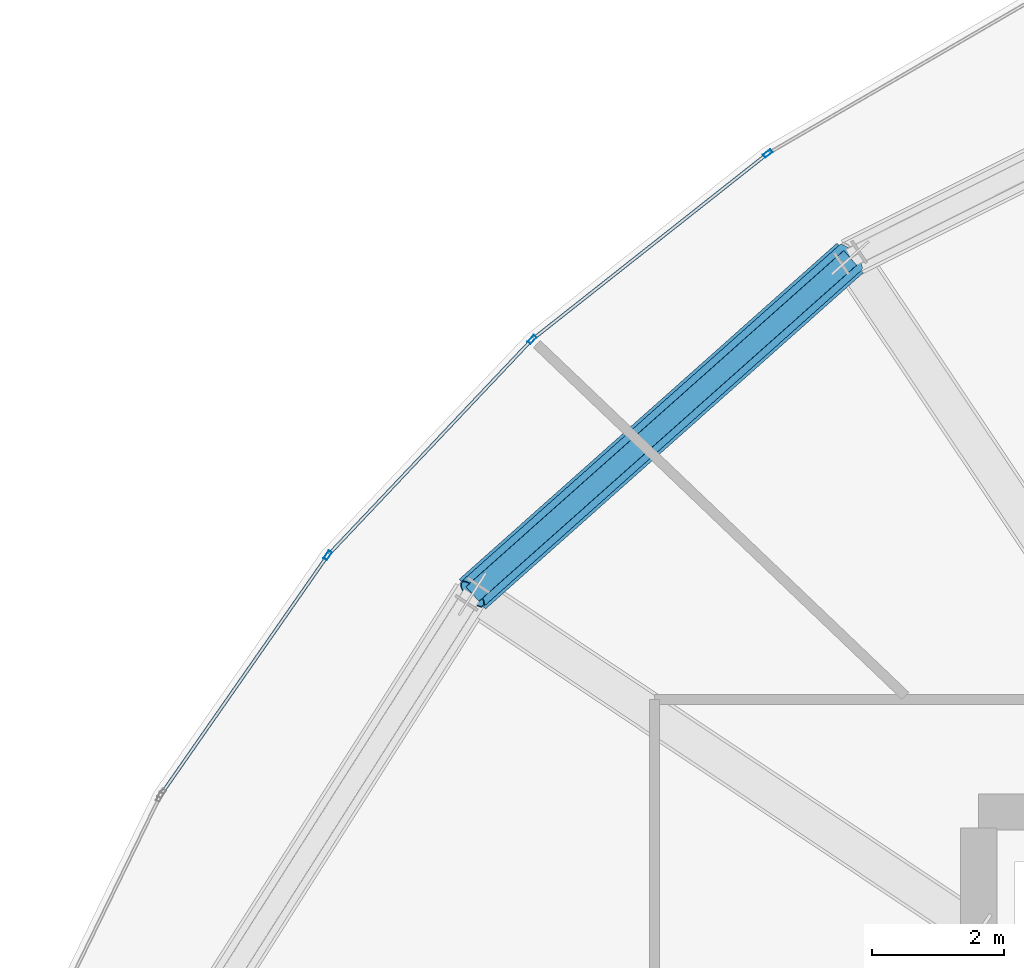
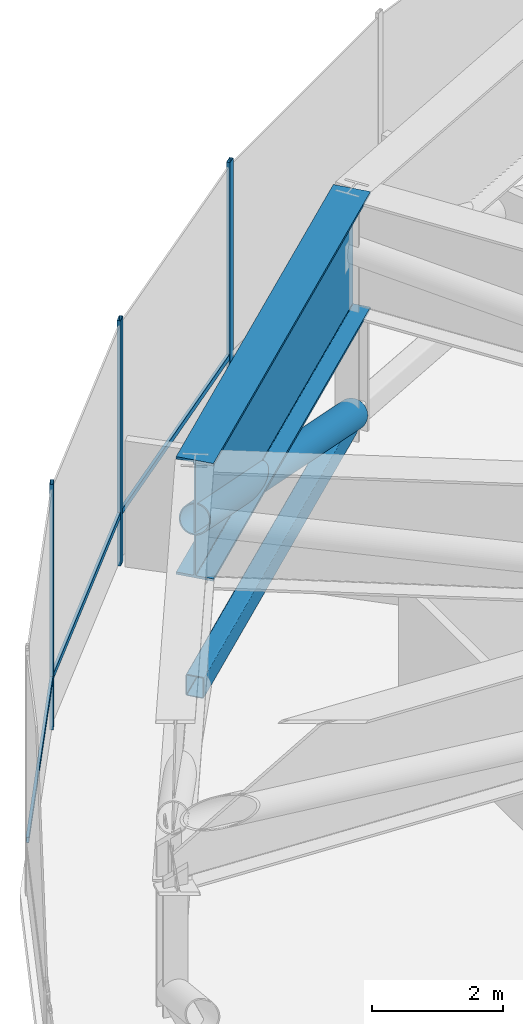
# One storey, part 18 of 30: 8 members, 1 beam, 1 element without a shape of its own.
"""IFC4 building model written with IfcOpenShell, lengths in metres."""

from ifc_helpers import new_model, si_unit, direction, frame, origin, origin_2d, place, context, subcontext, project, spatial, hollow_rectangle, hollow_circle, i_section, extrude, source, transform, mapped, material, layer, layer_set, material_profile, profile_set, type_object, element, aggregate, save


model = new_model("IFC4")

# Units and contexts
model_context = context("Model", 3, precision=1e-05, world=origin(), true_north=direction((0.0, 1.0)))
body_context = subcontext(model_context, "Body", "Model", "MODEL_VIEW")
ifc_project = project(units=[si_unit("LENGTHUNIT", "METRE"), si_unit("AREAUNIT", "SQUARE_METRE"), si_unit("VOLUMEUNIT", "CUBIC_METRE"), si_unit("PLANEANGLEUNIT", "RADIAN"), si_unit("MASSUNIT", "GRAM", prefix="KILO"), si_unit("THERMODYNAMICTEMPERATUREUNIT", "KELVIN")], contexts=[model_context])

# Site, building, storey
site_placement = place(None, origin())
site = spatial("IfcSite", under=ifc_project, at=site_placement, CompositionType="ELEMENT")
building_placement = place(site_placement, origin())
building = spatial("IfcBuilding", under=site, at=building_placement, Name="Kethvar Cultural Tower", CompositionType="ELEMENT")
storey_placement = place(building_placement, frame((0.0, 0.0, 171.39990234375)))
storey = spatial("IfcBuildingStorey", under=building, at=storey_placement, Name="L44", CompositionType="ELEMENT", Elevation=171.39990234375)

# Beam
ifc_material_1 = material(Name="Steel S460M", Category="steel")
ifc_material_profile_1 = material_profile(ifc_material_1, i_section(OverallWidth=0.60009765625, OverallDepth=2.199951171875, WebThickness=0.028076171875, FlangeThickness=0.044921875, FilletRadius=0.02197265625, at=origin_2d()), Name="Steel S460M — PG2200x600x45x28")
ifc_profile_set_1 = profile_set([ifc_material_profile_1], Name="Steel S460M — PG2200x600x45x28")
beam_type = type_object("IfcBeamType", Name="BM-TR2200", PredefinedType="BEAM", material=ifc_profile_set_1)
shared_shape_1 = source(origin(), body_context, "Body", "SweptSolid", [
    extrude(i_section(OverallWidth=0.60009765625, OverallDepth=2.199951171875, WebThickness=0.028076171875, FlangeThickness=0.044921875, FilletRadius=0.02197265625, at=origin_2d()), origin(), (0.0, 0.0, 1.0), 7.64599609375),
])
beam_placement = place(storey_placement, frame((36.0576171875, 43.877197265625, 3.47802734375), z_axis=(-0.747021617367, -0.66479974668, 0.0), x_axis=(0.66479974668, -0.747021617367, 0.0)))
element("IfcBeam", 1, at=beam_placement, inside=storey, type_object=beam_type, Name="L44 Ring Belt Girder BG-06", PredefinedType="BEAM", context=body_context, shape_type="MappedRepresentation", body=[
    mapped(shared_shape_1, transform((0.0, 0.0, 0.0), scale=1.0)),
])

# Members
ifc_material_profile_2 = material_profile(ifc_material_1, hollow_rectangle(XDim=0.300048828125, YDim=0.39990234375, WallThickness=0.01611328125, InnerFilletRadius=0.01611328125, OuterFilletRadius=0.031982421875, at=origin_2d()), Name="Steel S460M — RHS400x300x16")
ifc_profile_set_2 = profile_set([ifc_material_profile_2], Name="Steel S460M — RHS400x300x16")
member_type_1 = type_object("IfcMemberType", Name="MB-CHD-400", PredefinedType="CHORD", material=ifc_profile_set_2)
shared_shape_2 = source(origin(), body_context, "Body", "SweptSolid", [
    extrude(hollow_rectangle(XDim=0.300048828125, YDim=0.39990234375, WallThickness=0.01611328125, InnerFilletRadius=0.01611328125, OuterFilletRadius=0.031982421875, at=origin_2d()), origin(), (0.0, 0.0, 1.0), 7.64599609375),
])
member_1_placement = place(storey_placement, frame((36.0576171875, 43.877197265625, 0.35009765625), z_axis=(-0.747021617367, -0.66479974668, 0.0), x_axis=(0.66479974668, -0.747021617367, 0.0)))
element("IfcMember", 2, at=member_1_placement, inside=storey, type_object=member_type_1, Name="L44 Ring Belt Bottom Chord BC-06", PredefinedType="CHORD", context=body_context, shape_type="MappedRepresentation", body=[
    mapped(shared_shape_2, transform((0.0, 0.0, 0.0), scale=1.0)),
])
ifc_material_profile_3 = material_profile(ifc_material_1, hollow_circle(Radius=0.25390625, WallThickness=0.02001953125, at=origin_2d()), Name="Steel S460M — CHS508x20")
ifc_profile_set_3 = profile_set([ifc_material_profile_3], Name="Steel S460M — CHS508x20")
member_type_2 = type_object("IfcMemberType", Name="MB-OUT-508", PredefinedType="BRACE", material=ifc_profile_set_3)
shared_shape_3 = source(origin(), body_context, "Body", "SweptSolid", [
    extrude(hollow_circle(Radius=0.25390625, WallThickness=0.02001953125, at=origin_2d()), origin(), (0.0, 0.0, 1.0), 8.260986328125),
])
member_2_placement = place(storey_placement, frame((36.0576171875, 43.877197265625, 0.35009765625), z_axis=(-0.69140193595, -0.615301915216, 0.378638239085), x_axis=(0.66479974668, -0.747021617367, 0.0)))
element("IfcMember", 3, at=member_2_placement, inside=storey, type_object=member_type_2, Name="L44 Ring Belt Diagonal BD-06", PredefinedType="BRACE", context=body_context, shape_type="MappedRepresentation", body=[
    mapped(shared_shape_3, transform((0.0, 0.0, 0.0), scale=1.0)),
])

# Curtain wall, members
ifc_material_2 = material(Name="Aluminium 6063-T6", Category="aluminium")
ifc_layer = layer(ifc_material_2, 0.179931640625, Name="Aluminium 6063-T6", Category="aluminium")
ifc_layer_set = layer_set([ifc_layer], Name="Aluminium 6063-T6 (180 mm)")
curtain_wall_type = type_object("IfcCurtainWallType", Name="CW-SYS-04-Z34", PredefinedType="NOTDEFINED", material=ifc_layer_set)
curtain_wall_placement = place(storey_placement, origin())
curtain_wall = element("IfcCurtainWall", 4, at=curtain_wall_placement, inside=storey, type_object=curtain_wall_type, Name="L44 Curtain Wall Run 02", PredefinedType="NOTDEFINED")
ifc_material_profile_4 = material_profile(ifc_material_2, hollow_rectangle(XDim=0.06005859375, YDim=0.139892578125, WallThickness=0.0048828125, at=origin_2d()), Name="Aluminium 6063-T6 — RHS140x60x5")
ifc_profile_set_4 = profile_set([ifc_material_profile_4], Name="Aluminium 6063-T6 — RHS140x60x5")
member_type_3 = type_object("IfcMemberType", Name="CW-SYS-04-Z34-MUL", PredefinedType="MULLION", material=ifc_profile_set_4)
shared_shape_4 = source(origin(), body_context, "Body", "SweptSolid", [
    extrude(hollow_rectangle(XDim=0.06005859375, YDim=0.139892578125, WallThickness=0.0048828125, at=origin_2d()), origin(), (0.0, 0.0, 1.0), 4.580078125),
])
member_3_placement = place(storey_placement, frame((34.810791015625, 45.455810546875, 0.0), z_axis=(0.0, 0.0, 1.0), x_axis=(0.619806425281, -0.784754735685, 0.0)))
member_3 = element("IfcMember", 5, at=member_3_placement, type_object=member_type_3, Name="CW-L44-R02 Mullion 4", PredefinedType="MULLION", context=body_context, shape_type="MappedRepresentation", body=[
    mapped(shared_shape_4, transform((0.0, 0.0, 0.0), scale=1.0)),
])
member_4_placement = place(storey_placement, frame((31.247314453125, 42.642822265625, 0.0), z_axis=(0.0, 0.0, 1.0), x_axis=(0.726442746249, -0.687226990464, 0.0)))
member_4 = element("IfcMember", 6, at=member_4_placement, type_object=member_type_3, Name="CW-L44-R02 Mullion 5", PredefinedType="MULLION", context=body_context, shape_type="MappedRepresentation", body=[
    mapped(shared_shape_4, transform((0.0, 0.0, 0.0), scale=1.0)),
])
member_5_placement = place(storey_placement, frame((28.15771484375, 39.378662109375, 0.0), z_axis=(0.0, 0.0, 1.0), x_axis=(0.820351542489, -0.571859551582, 0.0)))
member_5 = element("IfcMember", 7, at=member_5_placement, type_object=member_type_3, Name="CW-L44-R02 Mullion 6", PredefinedType="MULLION", context=body_context, shape_type="MappedRepresentation", body=[
    mapped(shared_shape_4, transform((0.0, 0.0, 0.0), scale=1.0)),
])
ifc_material_profile_5 = material_profile(ifc_material_2, hollow_rectangle(XDim=0.050048828125, YDim=0.10009765625, WallThickness=0.00390625, at=origin_2d()), Name="Aluminium 6063-T6 — RHS100x50x4")
ifc_profile_set_5 = profile_set([ifc_material_profile_5], Name="Aluminium 6063-T6 — RHS100x50x4")
member_type_4 = type_object("IfcMemberType", Name="CW-SYS-04-Z34-TRN", PredefinedType="USERDEFINED", material=ifc_profile_set_5)
shared_shape_5 = source(origin(), body_context, "Body", "SweptSolid", [
    extrude(hollow_rectangle(XDim=0.050048828125, YDim=0.10009765625, WallThickness=0.00390625, at=origin_2d()), origin(), (0.0, 0.0, 1.0), 4.46923828125),
])
member_6_placement = place(storey_placement, frame((34.77685546875, 45.428955078125, 0.9501953125), z_axis=(-0.784765294987, -0.619793055612, 0.0), x_axis=(0.619793055612, -0.784765294987, 0.0)))
member_6 = element("IfcMember", 8, at=member_6_placement, type_object=member_type_4, Name="CW-L44-R02 Transom 4", ObjectType="TRANSOM", PredefinedType="USERDEFINED", context=body_context, shape_type="MappedRepresentation", body=[
    mapped(shared_shape_5, transform((0.0, 0.0, 0.0), scale=1.0)),
])
shared_shape_6 = source(origin(), body_context, "Body", "SweptSolid", [
    extrude(hollow_rectangle(XDim=0.050048828125, YDim=0.10009765625, WallThickness=0.00390625, at=origin_2d()), origin(), (0.0, 0.0, 1.0), 4.424560546875),
])
member_7_placement = place(storey_placement, frame((31.2177734375, 42.611572265625, 0.9501953125), z_axis=(-0.687247075272, -0.726423745159, 0.0), x_axis=(0.726423745159, -0.687247075272, 0.0)))
member_7 = element("IfcMember", 9, at=member_7_placement, type_object=member_type_4, Name="CW-L44-R02 Transom 5", ObjectType="TRANSOM", PredefinedType="USERDEFINED", context=body_context, shape_type="MappedRepresentation", body=[
    mapped(shared_shape_6, transform((0.0, 0.0, 0.0), scale=1.0)),
])
shared_shape_7 = source(origin(), body_context, "Body", "SweptSolid", [
    extrude(hollow_rectangle(XDim=0.050048828125, YDim=0.10009765625, WallThickness=0.00390625, at=origin_2d()), origin(), (0.0, 0.0, 1.0), 4.33935546875),
])
member_8_placement = place(storey_placement, frame((28.133056640625, 39.34326171875, 0.9501953125), z_axis=(-0.571848887761, -0.820358976038, 0.0), x_axis=(0.820358976038, -0.571848887761, 0.0)))
member_8 = element("IfcMember", 10, at=member_8_placement, type_object=member_type_4, Name="CW-L44-R02 Transom 6", ObjectType="TRANSOM", PredefinedType="USERDEFINED", context=body_context, shape_type="MappedRepresentation", body=[
    mapped(shared_shape_7, transform((0.0, 0.0, 0.0), scale=1.0)),
])
aggregate(curtain_wall, [member_3, member_4, member_5, member_6, member_7, member_8])

save(model, "model.ifc")
